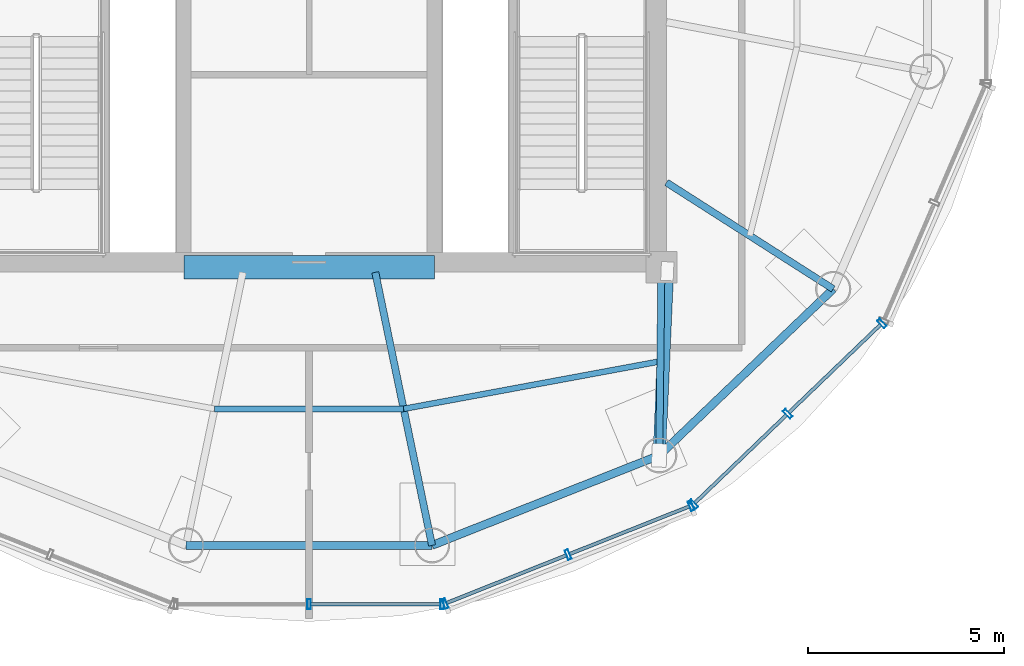
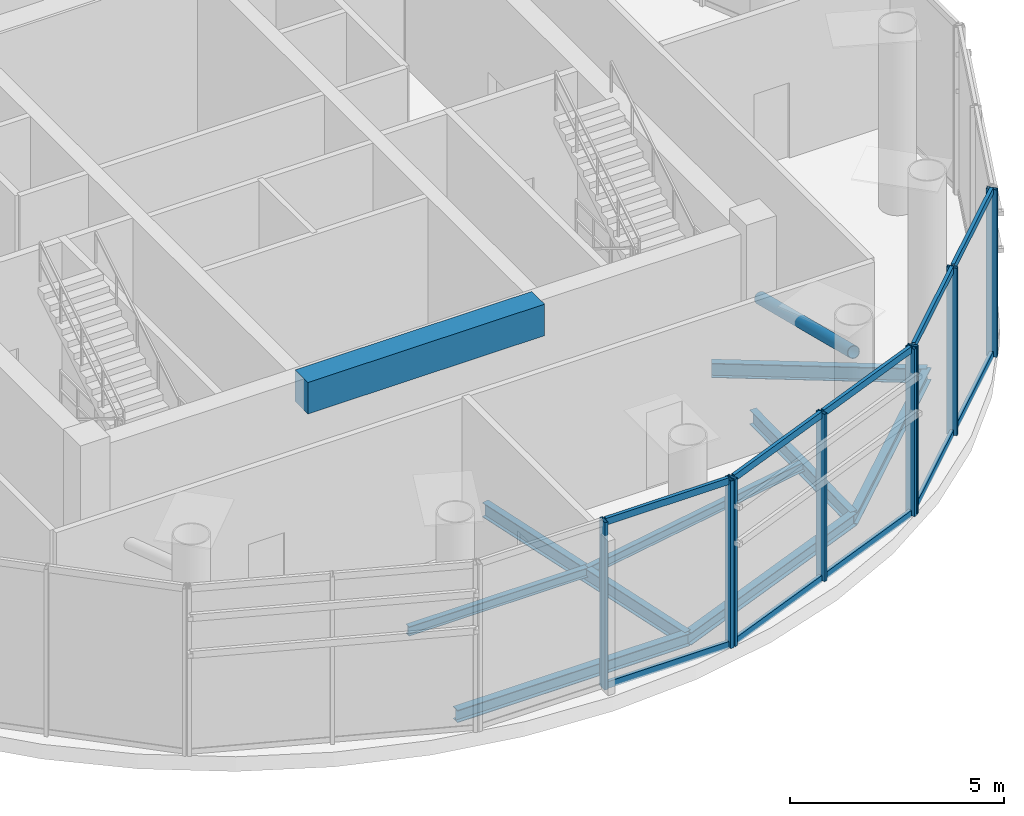
# One storey, part 4 of 15: 19 members, 9 beams, 3 elements without a shape of their own.
"""IFC4 building model written with IfcOpenShell, lengths in metres."""

import ifcopenshell
import ifcopenshell.guid

model = None  # the IFC model being written
_history = None  # IfcOwnerHistory: only IFC2X3 demands one
_inside = {}  # id of a spatial element -> (the spatial element, [elements in it])
_under = {}  # id of a project, library or spatial element -> (it, [spatial elements below it])
_declared = {}  # id of a project -> (the project, [libraries it declares])
_typed = {}  # id of a type object -> (the type object, [elements of that type])
_made_of = {}  # id of a material, layer set ... -> (it, [elements and type objects made of it])


def new_model(schema):
    """Start an empty IFC model of exactly this schema.

    Asked for "IFC4X3", IfcOpenShell would pick the latest addendum, in which some entities
    have other attributes; the version numbers below select the first issue.
    IFC2X3 requires an IfcOwnerHistory on every rooted entity: one is made here for all.
    """
    global model, _history
    if schema == "IFC4X3":
        model = ifcopenshell.file(schema_version=(4, 3, 0, 0))
    else:
        model = ifcopenshell.file(schema=schema)
    _inside.clear()
    _under.clear()
    _declared.clear()
    _typed.clear()
    _made_of.clear()
    _history = None
    if model.schema == "IFC2X3":
        org = make("IfcOrganization", Name="unknown")
        user = make(
            "IfcPersonAndOrganization",
            ThePerson=make("IfcPerson", FamilyName="unknown"),
            TheOrganization=org,
        )
        app = make(
            "IfcApplication",
            ApplicationDeveloper=org,
            Version="unknown",
            ApplicationFullName="unknown",
            ApplicationIdentifier="unknown",
        )
        _history = make(
            "IfcOwnerHistory",
            OwningUser=user,
            OwningApplication=app,
            ChangeAction="ADDED",
            CreationDate=0,
        )
    return model


def make(cls, **values):
    """One entity of the class cls with the attributes given. An attribute that is None is left unset."""
    return model.create_entity(
        cls, **{name: value for name, value in values.items() if value is not None}
    )


def rooted(cls, **values):
    """An entity with a GlobalId (a new one), such as an element, a storey or a relation."""
    return make(cls, GlobalId=ifcopenshell.guid.new(), OwnerHistory=_history, **values)


def si_unit(unit_type, name, prefix=None):
    """IfcSIUnit, for example si_unit("LENGTHUNIT", "METRE", prefix="MILLI")."""
    return make("IfcSIUnit", UnitType=unit_type, Prefix=prefix, Name=name)


def assignment(units):
    """IfcUnitAssignment: the units of a project."""
    return None if units is None else make("IfcUnitAssignment", Units=units)


def point(xyz):
    """IfcCartesianPoint."""
    return None if xyz is None else make("IfcCartesianPoint", Coordinates=xyz)


def direction(xyz):
    """IfcDirection."""
    return None if xyz is None else make("IfcDirection", DirectionRatios=xyz)


def frame(location, z_axis=None, x_axis=None):
    """IfcAxis2Placement3D, a coordinate frame: its origin and axes. An axis left out is left unset."""
    return make(
        "IfcAxis2Placement3D",
        Location=point(location),
        Axis=direction(z_axis),
        RefDirection=direction(x_axis),
    )


def frame_2d(location, x_axis=None):
    """IfcAxis2Placement2D, a coordinate frame in the plane: its origin and x axis."""
    return make(
        "IfcAxis2Placement2D", Location=point(location), RefDirection=direction(x_axis)
    )


def origin():
    """The frame at (0, 0, 0) with its axes left unset."""
    return frame((0.0, 0.0, 0.0))


def origin_2d():
    """The frame at (0, 0) in the plane with its x axis left unset."""
    return frame_2d((0.0, 0.0))


def place(relative_to, where):
    """IfcLocalPlacement: puts the frame where relative to a parent placement (None: the world)."""
    return make(
        "IfcLocalPlacement", PlacementRelTo=relative_to, RelativePlacement=where
    )


def context(
    kind, dimensions, precision=None, world=None, true_north=None, identifier=None
):
    """IfcGeometricRepresentationContext, for example the 3D "Model" context."""
    return make(
        "IfcGeometricRepresentationContext",
        ContextIdentifier=identifier,
        ContextType=kind,
        CoordinateSpaceDimension=dimensions,
        Precision=precision,
        WorldCoordinateSystem=world,
        TrueNorth=true_north,
    )


def subcontext(parent, identifier, kind, view, scale=None):
    """IfcGeometricRepresentationSubContext, for example "Body" below "Model"."""
    return make(
        "IfcGeometricRepresentationSubContext",
        ContextIdentifier=identifier,
        ContextType=kind,
        ParentContext=parent,
        TargetScale=scale,
        TargetView=view,
    )


def project(units=None, contexts=None):
    """IfcProject with its units and contexts."""
    return rooted(
        "IfcProject",
        Name="project",
        RepresentationContexts=contexts,
        UnitsInContext=assignment(units),
    )


def spatial(cls, under=None, at=None, **own):
    """A site, building, storey or space (cls), placed at a placement, below another one or the project."""
    s = rooted(cls, ObjectPlacement=at, **own)
    if under is not None:
        _under.setdefault(under.id(), (under, []))[1].append(s)
    return s


def profile(cls, at=None, kind="AREA", **sizes):
    """A parametric profile (cls). Its sizes go by their IFC names, for example OverallWidth=200.0."""
    return make(cls, ProfileType=kind, Position=at, **sizes)


def rectangle(**sizes):
    """IfcRectangleProfileDef."""
    return profile("IfcRectangleProfileDef", **sizes)


def hollow_rectangle(**sizes):
    """IfcRectangleHollowProfileDef."""
    return profile("IfcRectangleHollowProfileDef", **sizes)


def hollow_circle(**sizes):
    """IfcCircleHollowProfileDef."""
    return profile("IfcCircleHollowProfileDef", **sizes)


def i_section(**sizes):
    """IfcIShapeProfileDef."""
    return profile("IfcIShapeProfileDef", **sizes)


def extrude(swept, where, along, depth):
    """IfcExtrudedAreaSolid: the profile swept, set in the frame where, extruded along a direction by depth."""
    return make(
        "IfcExtrudedAreaSolid",
        SweptArea=swept,
        Position=where,
        ExtrudedDirection=direction(along),
        Depth=depth,
    )


def shape(context_of_items, identifier, shape_type, items):
    """IfcShapeRepresentation: the items that make up one representation, for example the "Body"."""
    return make(
        "IfcShapeRepresentation",
        ContextOfItems=context_of_items,
        RepresentationIdentifier=identifier,
        RepresentationType=shape_type,
        Items=items,
    )


def source(mapping_origin, context_of_items, identifier, shape_type, items):
    """IfcRepresentationMap: a shape defined once, which mapped items show again and again."""
    return make(
        "IfcRepresentationMap",
        MappingOrigin=mapping_origin,
        MappedRepresentation=shape(context_of_items, identifier, shape_type, items),
    )


def transform(
    local_origin,
    x_axis=None,
    y_axis=None,
    z_axis=None,
    scale=None,
    scale2=None,
    scale3=None,
    uniform=True,
):
    """IfcCartesianTransformationOperator3D, or its non-uniform kind. x_axis, y_axis, z_axis: its Axis1, 2, 3."""
    if uniform:
        return make(
            "IfcCartesianTransformationOperator3D",
            Axis1=direction(x_axis),
            Axis2=direction(y_axis),
            LocalOrigin=point(local_origin),
            Scale=scale,
            Axis3=direction(z_axis),
        )
    return make(
        "IfcCartesianTransformationOperator3DnonUniform",
        Axis1=direction(x_axis),
        Axis2=direction(y_axis),
        LocalOrigin=point(local_origin),
        Scale=scale,
        Axis3=direction(z_axis),
        Scale2=scale2,
        Scale3=scale3,
    )


def mapped(mapping_source, mapping_target):
    """IfcMappedItem: shows the shape of a source again, moved by a transform."""
    return make(
        "IfcMappedItem", MappingSource=mapping_source, MappingTarget=mapping_target
    )


def material(Name=None, Category=None):
    """IfcMaterial."""
    return make("IfcMaterial", Name=Name, Category=Category)


def material_profile(
    of_material, cross_section, Name=None, Category=None, Priority=None
):
    """IfcMaterialProfile: a cross section and its material."""
    return make(
        "IfcMaterialProfile",
        Name=Name,
        Material=of_material,
        Profile=cross_section,
        Priority=Priority,
        Category=Category,
    )


def profile_set(profiles, Name=None, composite=None):
    """IfcMaterialProfileSet."""
    return make(
        "IfcMaterialProfileSet",
        Name=Name,
        MaterialProfiles=profiles,
        CompositeProfile=composite,
    )


def made_of(thing, what):
    """Note that an element or type object is made of a material, layer set ...; save() writes the relation."""
    if what is not None:
        _made_of.setdefault(what.id(), (what, []))[1].append(thing)
    return thing


def type_object(cls, material=None, **own):
    """A type object (cls), such as IfcWallType, which elements share."""
    return made_of(rooted(cls, **own), material)


def element(
    cls,
    number,
    at=None,
    inside=None,
    cuts=None,
    type_object=None,
    material=None,
    context=None,
    identifier="Body",
    shape_type=None,
    held_by="IfcProductDefinitionShape",
    body=None,
    shapes=None,
    **own,
):
    """One element of the class cls, such as IfcWall. Its Tag is "e" and its number.

    at: its placement. inside: the storey or other place that contains it. cuts: it is an
    opening in that element (IfcRelVoidsElement). A single representation is given by context,
    identifier, shape_type and body (its items); several are given by shapes. held_by: the class
    of the entity that holds the representations. save() writes the other relations.
    """
    e = rooted(cls, Tag="e%d" % number, ObjectPlacement=at, **own)
    if body is not None:
        shapes = [shape(context, identifier, shape_type, body)]
    if shapes is not None:
        e.Representation = make(held_by, Representations=shapes)
    if inside is not None:
        _inside.setdefault(inside.id(), (inside, []))[1].append(e)
    if cuts is not None:
        rooted(
            "IfcRelVoidsElement", RelatingBuildingElement=cuts, RelatedOpeningElement=e
        )
    if type_object is not None:
        _typed.setdefault(type_object.id(), (type_object, []))[1].append(e)
    return made_of(e, material)


def aggregate(whole, parts):
    """IfcRelAggregates: a whole, such as a stair, and the parts it consists of."""
    return rooted("IfcRelAggregates", RelatingObject=whole, RelatedObjects=parts)


def save(model, path):
    """Write the relations noted so far, then the file.

    IfcRelAggregates (storeys below a building ...), IfcRelContainedInSpatialStructure (elements
    in a storey), IfcRelDefinesByType, IfcRelAssociatesMaterial and IfcRelDeclares: one each for
    every whole, place, type object, material and project.
    """
    for whole, parts in _under.values():
        aggregate(whole, parts)
    for where, things in _inside.values():
        rooted(
            "IfcRelContainedInSpatialStructure",
            RelatedElements=things,
            RelatingStructure=where,
        )
    for kind, things in _typed.values():
        rooted("IfcRelDefinesByType", RelatedObjects=things, RelatingType=kind)
    for what, things in _made_of.values():
        rooted("IfcRelAssociatesMaterial", RelatedObjects=things, RelatingMaterial=what)
    for by, libraries in _declared.values():
        rooted("IfcRelDeclares", RelatingContext=by, RelatedDefinitions=libraries)
    model.write(path)


model = new_model("IFC4")

# Units and contexts
model_context = context("Model", 3, precision=1e-05, world=origin(), true_north=direction((-0.2419218956, 0.970295726276)))
body_context = subcontext(model_context, "Body", "Model", "MODEL_VIEW")
ifc_project = project(units=[si_unit("LENGTHUNIT", "METRE"), si_unit("AREAUNIT", "SQUARE_METRE"), si_unit("VOLUMEUNIT", "CUBIC_METRE"), si_unit("PLANEANGLEUNIT", "RADIAN"), si_unit("MASSUNIT", "GRAM", prefix="KILO")], contexts=[model_context])

# Site, building, storey
site_placement = place(None, origin())
site = spatial("IfcSite", under=ifc_project, at=site_placement, CompositionType="ELEMENT")
building_placement = place(site_placement, origin())
building = spatial("IfcBuilding", under=site, at=building_placement, Name="Cobrevalo Terracotta Tower", CompositionType="ELEMENT")
storey_placement = place(building_placement, frame((0.0, 0.0, 316.5)))
storey = spatial("IfcBuildingStorey", under=building, at=storey_placement, Name="L82", CompositionType="ELEMENT", Elevation=316.5)

# Beams
ifc_material_1 = material(Name="Concrete C60", Category="concrete")
ifc_material_profile_1 = material_profile(ifc_material_1, rectangle(XDim=0.60009765625, YDim=0.89990234375, at=origin_2d()), Name="RC CB 600x900")
ifc_profile_set_1 = profile_set([ifc_material_profile_1], Name="Concrete C60")
beam_type_1 = type_object("IfcBeamType", Name="Structural Beam RC CB 600x900 (Concrete C60)", PredefinedType="BEAM", material=ifc_profile_set_1)
beam_1_placement = place(storey_placement, frame((34.800048828125, 18.800048828125, 4.330078125), z_axis=(1.0, 0.0, 0.0), x_axis=(0.0, 1.0, 0.0)))
element("IfcBeam", 1, at=beam_1_placement, inside=storey, type_object=beam_type_1, Name="L82 core coupling beam 1", PredefinedType="BEAM", context=body_context, shape_type="SweptSolid", body=[
    extrude(rectangle(XDim=0.60009765625, YDim=0.89990234375, at=origin_2d()), origin(), (0.0, 0.0, 1.0), 6.39990234375),
])
ifc_material_2 = material(Name="Steel S355", Category="steel")
ifc_material_profile_2 = material_profile(ifc_material_2, i_section(OverallWidth=0.179931640625, OverallDepth=0.4130859375, WebThickness=0.009765625, FlangeThickness=0.01611328125, at=origin_2d()), Name="W 410x75")
ifc_profile_set_2 = profile_set([ifc_material_profile_2], Name="Steel S355")
beam_type_2 = type_object("IfcBeamType", Name="Structural Beam W 410x75 (Steel S355)", PredefinedType="BEAM", material=ifc_profile_set_2)
beam_2_placement = place(storey_placement, frame((41.140869140625, 11.69580078125, -0.62646484375), z_axis=(-0.203584701476, 0.979057337098, 0.0), x_axis=(-0.979057337098, -0.203584701476, 0.0)))
element("IfcBeam", 2, at=beam_2_placement, inside=storey, type_object=beam_type_2, Name="L82 radial floor girder 13", PredefinedType="BEAM", context=body_context, shape_type="SweptSolid", body=[
    extrude(i_section(OverallWidth=0.179931640625, OverallDepth=0.4130859375, WebThickness=0.009765625, FlangeThickness=0.01611328125, at=origin_2d()), origin(), (0.0, 0.0, 1.0), 7.123291015625),
])
beam_3_placement = place(storey_placement, frame((46.944580078125, 13.995361328125, -0.62646484375), z_axis=(0.01153378561, 0.999933483683, 0.0), x_axis=(-0.999933483683, 0.01153378561, 0.0)))
element("IfcBeam", 3, at=beam_3_placement, inside=storey, type_object=beam_type_2, Name="L82 radial floor girder 14", PredefinedType="BEAM", context=body_context, shape_type="SweptSolid", body=[
    extrude(i_section(OverallWidth=0.179931640625, OverallDepth=0.4130859375, WebThickness=0.009765625, FlangeThickness=0.01611328125, at=origin_2d()), origin(), (0.0, 0.0, 1.0), 4.804931640625),
])
beam_4_placement = place(storey_placement, frame((51.38671875, 18.244140625, -0.62646484375), z_axis=(-0.84260123768, 0.538537978476, 0.0), x_axis=(-0.538537978476, -0.84260123768, 0.0)))
element("IfcBeam", 4, at=beam_4_placement, inside=storey, type_object=beam_type_2, Name="L82 radial floor girder 15", PredefinedType="BEAM", context=body_context, shape_type="SweptSolid", body=[
    extrude(i_section(OverallWidth=0.179931640625, OverallDepth=0.4130859375, WebThickness=0.009765625, FlangeThickness=0.01611328125, at=origin_2d()), origin(), (0.0, 0.0, 1.0), 5.052001953125),
])
ifc_material_profile_3 = material_profile(ifc_material_2, i_section(OverallWidth=0.14794921875, OverallDepth=0.26611328125, WebThickness=0.007568359375, FlangeThickness=0.012939453125, at=origin_2d()), Name="W 250x44.8")
ifc_profile_set_3 = profile_set([ifc_material_profile_3], Name="Steel S355")
beam_type_3 = type_object("IfcBeamType", Name="Structural Joist W 250x44.8 (Steel S355)", PredefinedType="JOIST", material=ifc_profile_set_3)
beam_5_placement = place(storey_placement, frame((35.584228515625, 15.182861328125, -0.552978515625), z_axis=(1.0, 0.0, 0.0), x_axis=(0.0, 1.0, 0.0)))
element("IfcBeam", 5, at=beam_5_placement, inside=storey, type_object=beam_type_3, Name="L82 circumferential secondary floor joist 12", PredefinedType="JOIST", context=body_context, shape_type="SweptSolid", body=[
    extrude(i_section(OverallWidth=0.14794921875, OverallDepth=0.26611328125, WebThickness=0.007568359375, FlangeThickness=0.012939453125, at=origin_2d()), origin(), (0.0, 0.0, 1.0), 4.83154296875),
])
beam_6_placement = place(storey_placement, frame((40.415771484375, 15.182861328125, -0.552978515625), z_axis=(0.983264519698, 0.182183655422, 0.0), x_axis=(-0.182183655422, 0.983264519698, 0.0)))
element("IfcBeam", 6, at=beam_6_placement, inside=storey, type_object=beam_type_3, Name="L82 circumferential secondary floor joist 13", PredefinedType="JOIST", context=body_context, shape_type="SweptSolid", body=[
    extrude(i_section(OverallWidth=0.14794921875, OverallDepth=0.26611328125, WebThickness=0.007568359375, FlangeThickness=0.012939453125, at=origin_2d()), origin(), (0.0, 0.0, 1.0), 6.668212890625),
])
ifc_material_profile_4 = material_profile(ifc_material_2, i_section(OverallWidth=0.205078125, OverallDepth=0.35400390625, WebThickness=0.009521484375, FlangeThickness=0.016845703125, at=origin_2d()), Name="W 360x79")
ifc_profile_set_4 = profile_set([ifc_material_profile_4], Name="Steel S355")
beam_type_4 = type_object("IfcBeamType", Name="Structural Spandrel W 360x79 (Steel S355)", PredefinedType="SPANDREL", material=ifc_profile_set_4)
beam_7_placement = place(storey_placement, frame((34.859130859375, 11.69580078125, -0.596923828125), z_axis=(1.0, 0.0, 0.0), x_axis=(0.0, 1.0, 0.0)))
element("IfcBeam", 7, at=beam_7_placement, inside=storey, type_object=beam_type_4, Name="L82 perimeter ring spandrel 12", PredefinedType="SPANDREL", context=body_context, shape_type="SweptSolid", body=[
    extrude(i_section(OverallWidth=0.205078125, OverallDepth=0.35400390625, WebThickness=0.009521484375, FlangeThickness=0.016845703125, at=origin_2d()), origin(), (0.0, 0.0, 1.0), 6.28173828125),
])
beam_8_placement = place(storey_placement, frame((41.140869140625, 11.69580078125, -0.596923828125), z_axis=(0.929682763959, 0.368361179275, 0.0), x_axis=(-0.368361179275, 0.929682763959, 0.0)))
element("IfcBeam", 8, at=beam_8_placement, inside=storey, type_object=beam_type_4, Name="L82 perimeter ring spandrel 13", PredefinedType="SPANDREL", context=body_context, shape_type="SweptSolid", body=[
    extrude(i_section(OverallWidth=0.205078125, OverallDepth=0.35400390625, WebThickness=0.009521484375, FlangeThickness=0.016845703125, at=origin_2d()), origin(), (0.0, 0.0, 1.0), 6.24267578125),
])
beam_9_placement = place(storey_placement, frame((46.944580078125, 13.995361328125, -0.596923828125), z_axis=(0.722659970904, 0.691203708362, 0.0), x_axis=(-0.691203708362, 0.722659970904, 0.0)))
element("IfcBeam", 9, at=beam_9_placement, inside=storey, type_object=beam_type_4, Name="L82 perimeter ring spandrel 14", PredefinedType="SPANDREL", context=body_context, shape_type="SweptSolid", body=[
    extrude(i_section(OverallWidth=0.205078125, OverallDepth=0.35400390625, WebThickness=0.009521484375, FlangeThickness=0.016845703125, at=origin_2d()), origin(), (0.0, 0.0, 1.0), 6.14697265625),
])

# Member
ifc_material_profile_5 = material_profile(ifc_material_2, hollow_circle(Radius=0.162109375, WallThickness=0.013916015625, at=origin_2d()), Name="CHS 324x14")
ifc_profile_set_5 = profile_set([ifc_material_profile_5], Name="Steel S355")
member_type_1 = type_object("IfcMemberType", Name="Steel Brace CHS 324x14 (Steel S355)", PredefinedType="BRACE", material=ifc_profile_set_5)
shared_shape_1 = source(origin(), body_context, "Body", "SweptSolid", [
    extrude(hollow_circle(Radius=0.162109375, WallThickness=0.013916015625, at=origin_2d()), origin(), (0.0, 0.0, 1.0), 4.906982421875),
])
member_1_placement = place(storey_placement, frame((47.14990234375, 18.699951171875, 2.75), z_axis=(-0.041842075868, -0.958735793071, 0.281202631159), x_axis=(0.999049003969, -0.043601464055, 0.0)))
element("IfcMember", 10, at=member_1_placement, inside=storey, type_object=member_type_1, Name="L82 CROWN FRAME radial brace 04", PredefinedType="BRACE", context=body_context, shape_type="MappedRepresentation", body=[
    mapped(shared_shape_1, transform((0.0, 0.0, 0.0), scale=1.0)),
])

# Curtain wall, members
ifc_material_3 = material(Name="Anodized aluminium", Category="aluminium")
curtain_wall_type = type_object("IfcCurtainWallType", Name="Faceted glass-point crown structural glazing system CW-CR", PredefinedType="NOTDEFINED", material=ifc_material_3)
curtain_wall_1_placement = place(storey_placement, origin())
curtain_wall_1 = element("IfcCurtainWall", 11, at=curtain_wall_1_placement, inside=storey, type_object=curtain_wall_type, Name="L82 curtain wall CW-CRN-L82-S14", PredefinedType="NOTDEFINED")
ifc_material_profile_6 = material_profile(ifc_material_3, hollow_rectangle(XDim=0.090087890625, YDim=0.195068359375, WallThickness=0.005615234375, at=origin_2d()), Name="CWT 90x195")
ifc_profile_set_6 = profile_set([ifc_material_profile_6], Name="Anodized aluminium")
member_type_2 = type_object("IfcMemberType", Name="Crown structural aluminium transom 90x195", PredefinedType="USERDEFINED", material=ifc_profile_set_6)
shared_shape_2 = source(origin(), body_context, "Body", "SweptSolid", [
    extrude(hollow_rectangle(XDim=0.090087890625, YDim=0.195068359375, WallThickness=0.005615234375, at=origin_2d()), origin(), (0.0, 0.0, 1.0), 3.251953125),
])
member_2_placement = place(storey_placement, frame((47.852294921875, 12.778564453125, 0.050048828125), z_axis=(0.721300303297, 0.692622460265, 0.0), x_axis=(-0.692622460265, 0.721300303297, 0.0)))
member_2 = element("IfcMember", 12, at=member_2_placement, type_object=member_type_2, Name="CW-CRN-L82-S14 transom B01-T1", ObjectType="TRANSOM", PredefinedType="USERDEFINED", context=body_context, shape_type="MappedRepresentation", body=[
    mapped(shared_shape_2, transform((0.0, 0.0, 0.0), scale=1.0)),
])
member_3_placement = place(storey_placement, frame((47.852294921875, 12.778564453125, 4.72998046875), z_axis=(0.721300303297, 0.692622460265, 0.0), x_axis=(-0.692622460265, 0.721300303297, 0.0)))
member_3 = element("IfcMember", 13, at=member_3_placement, type_object=member_type_2, Name="CW-CRN-L82-S14 transom B01-T2", ObjectType="TRANSOM", PredefinedType="USERDEFINED", context=body_context, shape_type="MappedRepresentation", body=[
    mapped(shared_shape_2, transform((0.0, 0.0, 0.0), scale=1.0)),
])
member_4_placement = place(storey_placement, frame((50.255615234375, 15.08642578125, 0.050048828125), z_axis=(0.721264285966, 0.692659966932, 0.0), x_axis=(-0.692659966932, 0.721264285966, 0.0)))
member_4 = element("IfcMember", 14, at=member_4_placement, type_object=member_type_2, Name="CW-CRN-L82-S14 transom B02-T1", ObjectType="TRANSOM", PredefinedType="USERDEFINED", context=body_context, shape_type="MappedRepresentation", body=[
    mapped(shared_shape_2, transform((0.0, 0.0, 0.0), scale=1.0)),
])
member_5_placement = place(storey_placement, frame((50.255615234375, 15.08642578125, 4.72998046875), z_axis=(0.721264285966, 0.692659966932, 0.0), x_axis=(-0.692659966932, 0.721264285966, 0.0)))
member_5 = element("IfcMember", 15, at=member_5_placement, type_object=member_type_2, Name="CW-CRN-L82-S14 transom B02-T2", ObjectType="TRANSOM", PredefinedType="USERDEFINED", context=body_context, shape_type="MappedRepresentation", body=[
    mapped(shared_shape_2, transform((0.0, 0.0, 0.0), scale=1.0)),
])

curtain_wall_2_placement = place(storey_placement, origin())
curtain_wall_2 = element("IfcCurtainWall", 16, at=curtain_wall_2_placement, inside=storey, type_object=curtain_wall_type, Name="L82 curtain wall CW-CRN-L82-S13", PredefinedType="NOTDEFINED")
shared_shape_3 = source(origin(), body_context, "Body", "SweptSolid", [
    extrude(hollow_rectangle(XDim=0.090087890625, YDim=0.195068359375, WallThickness=0.005615234375, at=origin_2d()), origin(), (0.0, 0.0, 1.0), 3.2998046875),
])
member_6_placement = place(storey_placement, frame((41.513671875, 10.224853515625, 0.050048828125), z_axis=(0.92917915641, 0.369629673177, 0.0), x_axis=(-0.369629673177, 0.92917915641, 0.0)))
member_6 = element("IfcMember", 17, at=member_6_placement, type_object=member_type_2, Name="CW-CRN-L82-S13 transom B01-T1", ObjectType="TRANSOM", PredefinedType="USERDEFINED", context=body_context, shape_type="MappedRepresentation", body=[
    mapped(shared_shape_3, transform((0.0, 0.0, 0.0), scale=1.0)),
])
member_7_placement = place(storey_placement, frame((41.513671875, 10.224853515625, 4.72998046875), z_axis=(0.92917915641, 0.369629673177, 0.0), x_axis=(-0.369629673177, 0.92917915641, 0.0)))
member_7 = element("IfcMember", 18, at=member_7_placement, type_object=member_type_2, Name="CW-CRN-L82-S13 transom B01-T2", ObjectType="TRANSOM", PredefinedType="USERDEFINED", context=body_context, shape_type="MappedRepresentation", body=[
    mapped(shared_shape_3, transform((0.0, 0.0, 0.0), scale=1.0)),
])
member_8_placement = place(storey_placement, frame((44.654296875, 11.47412109375, 0.050048828125), z_axis=(0.929204565262, 0.369565793732, 0.0), x_axis=(-0.369565793732, 0.929204565262, 0.0)))
member_8 = element("IfcMember", 19, at=member_8_placement, type_object=member_type_2, Name="CW-CRN-L82-S13 transom B02-T1", ObjectType="TRANSOM", PredefinedType="USERDEFINED", context=body_context, shape_type="MappedRepresentation", body=[
    mapped(shared_shape_3, transform((0.0, 0.0, 0.0), scale=1.0)),
])
member_9_placement = place(storey_placement, frame((44.654296875, 11.47412109375, 4.72998046875), z_axis=(0.929204565262, 0.369565793732, 0.0), x_axis=(-0.369565793732, 0.929204565262, 0.0)))
member_9 = element("IfcMember", 20, at=member_9_placement, type_object=member_type_2, Name="CW-CRN-L82-S13 transom B02-T2", ObjectType="TRANSOM", PredefinedType="USERDEFINED", context=body_context, shape_type="MappedRepresentation", body=[
    mapped(shared_shape_3, transform((0.0, 0.0, 0.0), scale=1.0)),
])

curtain_wall_3_placement = place(storey_placement, origin())
curtain_wall_3 = element("IfcCurtainWall", 21, at=curtain_wall_3_placement, inside=storey, type_object=curtain_wall_type, Name="L82 curtain wall CW-CRN-L82-S12", PredefinedType="NOTDEFINED")
shared_shape_4 = source(origin(), body_context, "Body", "SweptSolid", [
    extrude(hollow_rectangle(XDim=0.090087890625, YDim=0.195068359375, WallThickness=0.005615234375, at=origin_2d()), origin(), (0.0, 0.0, 1.0), 3.3193359375),
])
member_10_placement = place(storey_placement, frame((38.0400390625, 10.1953125, 0.050048828125), z_axis=(1.0, 0.0, 0.0), x_axis=(0.0, 1.0, 0.0)))
member_10 = element("IfcMember", 22, at=member_10_placement, type_object=member_type_2, Name="CW-CRN-L82-S12 transom B02-T1", ObjectType="TRANSOM", PredefinedType="USERDEFINED", context=body_context, shape_type="MappedRepresentation", body=[
    mapped(shared_shape_4, transform((0.0, 0.0, 0.0), scale=1.0)),
])
member_11_placement = place(storey_placement, frame((38.0400390625, 10.1953125, 4.72998046875), z_axis=(1.0, 0.0, 0.0), x_axis=(0.0, 1.0, 0.0)))
member_11 = element("IfcMember", 23, at=member_11_placement, type_object=member_type_2, Name="CW-CRN-L82-S12 transom B02-T2", ObjectType="TRANSOM", PredefinedType="USERDEFINED", context=body_context, shape_type="MappedRepresentation", body=[
    mapped(shared_shape_4, transform((0.0, 0.0, 0.0), scale=1.0)),
])
ifc_material_profile_7 = material_profile(ifc_material_3, hollow_rectangle(XDim=0.090087890625, YDim=0.260009765625, WallThickness=0.006103515625, at=origin_2d()), Name="CWM 90x260")
ifc_profile_set_7 = profile_set([ifc_material_profile_7], Name="Anodized aluminium")
member_type_3 = type_object("IfcMemberType", Name="Crown structural glass mullion 90x260", PredefinedType="MULLION", material=ifc_profile_set_7)
shared_shape_5 = source(origin(), body_context, "Body", "SweptSolid", [
    extrude(hollow_rectangle(XDim=0.090087890625, YDim=0.260009765625, WallThickness=0.006103515625, at=origin_2d()), origin(), (0.0, 0.0, 1.0), 4.780029296875),
])
member_12_placement = place(storey_placement, frame((38.0, 10.1953125, 0.0), z_axis=(0.0, 0.0, 1.0), x_axis=(1.0, 0.0, 0.0)))
member_12 = element("IfcMember", 24, at=member_12_placement, type_object=member_type_3, Name="CW-CRN-L82-S12 vertical mullion 02", PredefinedType="MULLION", context=body_context, shape_type="MappedRepresentation", body=[
    mapped(shared_shape_5, transform((0.0, 0.0, 0.0), scale=1.0)),
])
member_13_placement = place(storey_placement, frame((41.3994140625, 10.1953125, 0.0), z_axis=(0.0, 0.0, 1.0), x_axis=(1.0, 0.0, 0.0)))
member_13 = element("IfcMember", 25, at=member_13_placement, type_object=member_type_3, Name="CW-CRN-L82-S12 vertical mullion 03", PredefinedType="MULLION", context=body_context, shape_type="MappedRepresentation", body=[
    mapped(shared_shape_5, transform((0.0, 0.0, 0.0), scale=1.0)),
])
aggregate(curtain_wall_3, [member_12, member_13, member_10, member_11])

# Member
member_14_placement = place(storey_placement, frame((41.4765625, 10.210205078125, 0.0), z_axis=(0.0, 0.0, 1.0), x_axis=(0.929190639756, 0.36960080491, 0.0)))
member_14 = element("IfcMember", 26, at=member_14_placement, type_object=member_type_3, Name="CW-CRN-L82-S13 vertical mullion 01", PredefinedType="MULLION", context=body_context, shape_type="MappedRepresentation", body=[
    mapped(shared_shape_5, transform((0.0, 0.0, 0.0), scale=1.0)),
])

member_15_placement = place(storey_placement, frame((44.6171875, 11.459228515625, 0.0), z_axis=(0.0, 0.0, 1.0), x_axis=(0.929190639756, 0.36960080491, 0.0)))
member_15 = element("IfcMember", 27, at=member_15_placement, type_object=member_type_3, Name="CW-CRN-L82-S13 vertical mullion 02", PredefinedType="MULLION", context=body_context, shape_type="MappedRepresentation", body=[
    mapped(shared_shape_5, transform((0.0, 0.0, 0.0), scale=1.0)),
])

member_16_placement = place(storey_placement, frame((47.757568359375, 12.70849609375, 0.0), z_axis=(0.0, 0.0, 1.0), x_axis=(0.929190639756, 0.36960080491, 0.0)))
member_16 = element("IfcMember", 28, at=member_16_placement, type_object=member_type_3, Name="CW-CRN-L82-S13 vertical mullion 03", PredefinedType="MULLION", context=body_context, shape_type="MappedRepresentation", body=[
    mapped(shared_shape_5, transform((0.0, 0.0, 0.0), scale=1.0)),
])

aggregate(curtain_wall_2, [member_14, member_15, member_16, member_6, member_7, member_8, member_9])

member_17_placement = place(storey_placement, frame((47.823486328125, 12.7509765625, 0.0), z_axis=(0.0, 0.0, 1.0), x_axis=(0.721276845158, 0.692646888854, 0.0)))
member_17 = element("IfcMember", 29, at=member_17_placement, type_object=member_type_3, Name="CW-CRN-L82-S14 vertical mullion 01", PredefinedType="MULLION", context=body_context, shape_type="MappedRepresentation", body=[
    mapped(shared_shape_5, transform((0.0, 0.0, 0.0), scale=1.0)),
])

member_18_placement = place(storey_placement, frame((50.226806640625, 15.05859375, 0.0), z_axis=(0.0, 0.0, 1.0), x_axis=(0.721276845158, 0.692646888854, 0.0)))
member_18 = element("IfcMember", 30, at=member_18_placement, type_object=member_type_3, Name="CW-CRN-L82-S14 vertical mullion 02", PredefinedType="MULLION", context=body_context, shape_type="MappedRepresentation", body=[
    mapped(shared_shape_5, transform((0.0, 0.0, 0.0), scale=1.0)),
])

member_19_placement = place(storey_placement, frame((52.6298828125, 17.366455078125, 0.0), z_axis=(0.0, 0.0, 1.0), x_axis=(0.721276845158, 0.692646888854, 0.0)))
member_19 = element("IfcMember", 31, at=member_19_placement, type_object=member_type_3, Name="CW-CRN-L82-S14 vertical mullion 03", PredefinedType="MULLION", context=body_context, shape_type="MappedRepresentation", body=[
    mapped(shared_shape_5, transform((0.0, 0.0, 0.0), scale=1.0)),
])

aggregate(curtain_wall_1, [member_17, member_18, member_19, member_2, member_3, member_4, member_5])

save(model, "model.ifc")
